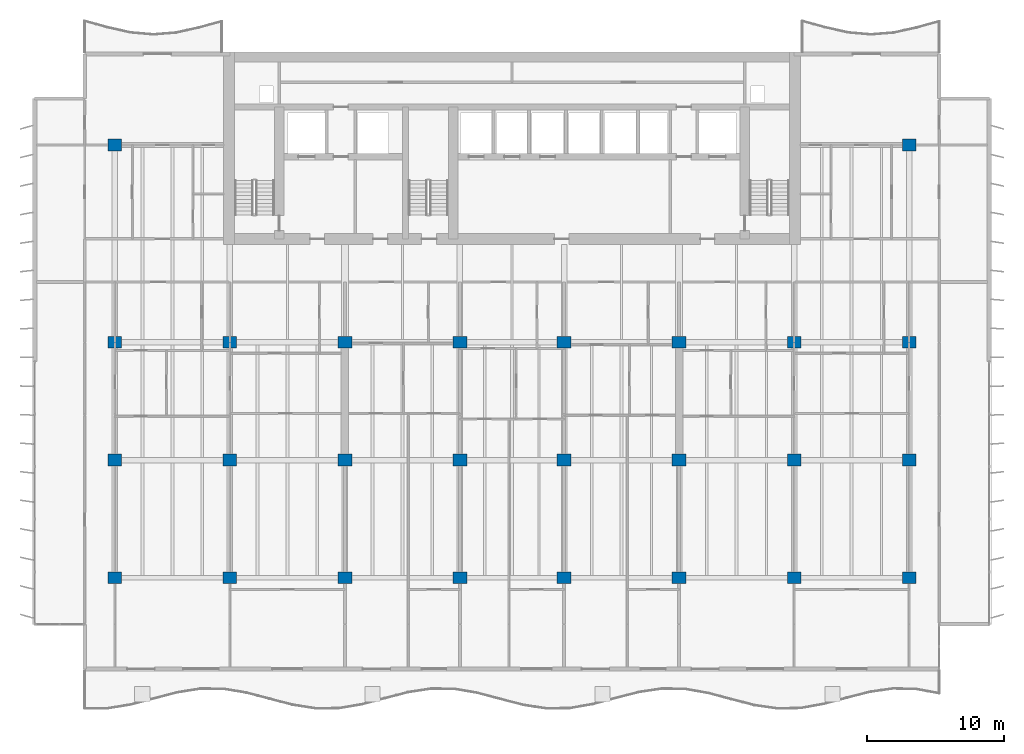
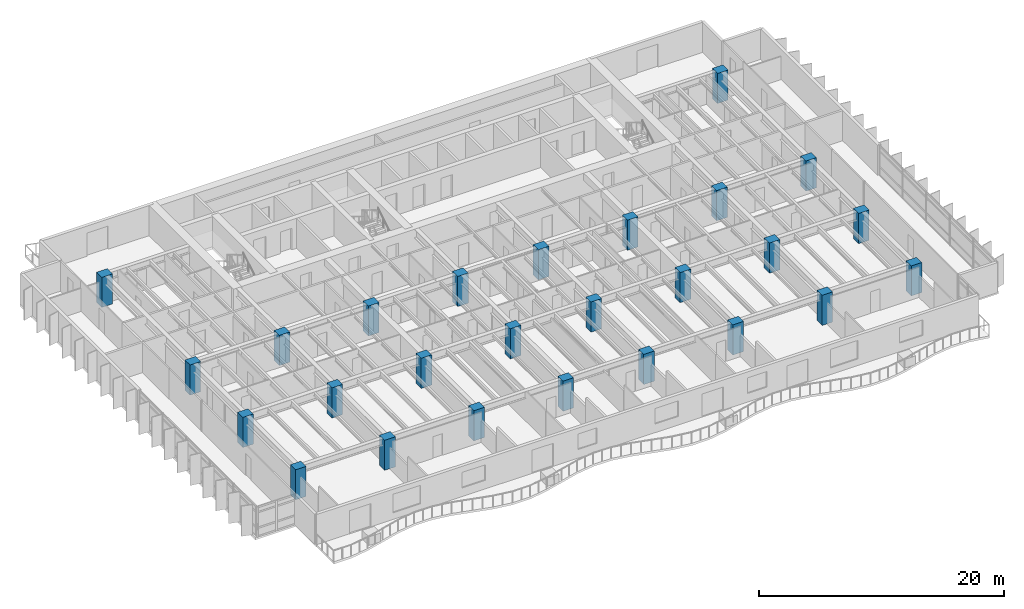
# One storey, part 1 of 19: 26 columns.
"""IFC4 building model written with IfcOpenShell, lengths in metres."""

from ifc_helpers import new_model, si_unit, direction, frame, origin, origin_2d, place, context, subcontext, project, spatial, rectangle, extrude, material, material_profile, profile_set, type_object, element, save


model = new_model("IFC4")

# Units and contexts
model_context = context("Model", 3, precision=1e-05, world=origin(), true_north=direction((0.0, 1.0)))
body_context = subcontext(model_context, "Body", "Model", "MODEL_VIEW")
ifc_project = project(units=[si_unit("LENGTHUNIT", "METRE"), si_unit("AREAUNIT", "SQUARE_METRE"), si_unit("VOLUMEUNIT", "CUBIC_METRE"), si_unit("PLANEANGLEUNIT", "RADIAN"), si_unit("MASSUNIT", "GRAM", prefix="KILO")], contexts=[model_context])

# Site, building, storey
site_placement = place(None, origin())
site = spatial("IfcSite", under=ifc_project, at=site_placement, CompositionType="ELEMENT")
building_placement = place(site_placement, origin())
building = spatial("IfcBuilding", under=site, at=building_placement, Name="Caelmar Bay Residences", CompositionType="ELEMENT")
storey_placement = place(building_placement, frame((0.0, 0.0, 94.5)))
storey = spatial("IfcBuildingStorey", under=building, at=storey_placement, Name="L25", CompositionType="ELEMENT", Elevation=94.5)

# Columns
ifc_material = material(Name="Concrete f'c 70 MPa (10,000 psi)", Category="concrete")
ifc_material_profile = material_profile(ifc_material, rectangle(XDim=1.0, YDim=0.85009765625, at=origin_2d()), Name="RC-COL-1000X850")
ifc_profile_set = profile_set([ifc_material_profile], Name="Concrete f'c 70 MPa (10,000 psi)")
column_type = type_object("IfcColumnType", Name="COL-RC-1000X850", PredefinedType="COLUMN", material=ifc_profile_set)
for number, where, z_axis, x_axis, name in (
    (1, (9.89990234375, 12.199951171875, 0.0), (0.0, 0.0, 1.0), (1.0, 0.0, 0.0), "L25 Column (9.90,12.20)"),
    (2, (18.300048828125, 12.199951171875, 0.0), (0.0, 0.0, 1.0), (1.0, 0.0, 0.0), "L25 Column (18.30,12.20)"),
    (3, (26.699951171875, 12.199951171875, 0.0), (0.0, 0.0, 1.0), (1.0, 0.0, 0.0), "L25 Column (26.70,12.20)"),
    (4, (35.10009765625, 12.199951171875, 0.0), (0.0, 0.0, 1.0), (1.0, 0.0, 0.0), "L25 Column (35.10,12.20)"),
    (5, (42.699951171875, 12.199951171875, 0.0), (0.0, 0.0, 1.0), (1.0, 0.0, 0.0), "L25 Column (42.70,12.20)"),
    (6, (51.10009765625, 12.199951171875, 0.0), (0.0, 0.0, 1.0), (1.0, 0.0, 0.0), "L25 Column (51.10,12.20)"),
    (7, (59.5, 12.199951171875, 0.0), (0.0, 0.0, 1.0), (1.0, 0.0, 0.0), "L25 Column (59.50,12.20)"),
    (8, (67.89990234375, 12.199951171875, 0.0), (0.0, 0.0, 1.0), (1.0, 0.0, 0.0), "L25 Column (67.90,12.20)"),
    (9, (9.89990234375, 20.800048828125, 0.0), (0.0, 0.0, 1.0), (1.0, 0.0, 0.0), "L25 Column (9.90,20.80)"),
    (10, (18.300048828125, 20.800048828125, 0.0), (0.0, 0.0, 1.0), (1.0, 0.0, 0.0), "L25 Column (18.30,20.80)"),
    (11, (26.699951171875, 20.800048828125, 0.0), (0.0, 0.0, 1.0), (1.0, 0.0, 0.0), "L25 Column (26.70,20.80)"),
    (12, (35.10009765625, 20.800048828125, 0.0), (0.0, 0.0, 1.0), (1.0, 0.0, 0.0), "L25 Column (35.10,20.80)"),
    (13, (42.699951171875, 20.800048828125, 0.0), (0.0, 0.0, 1.0), (1.0, 0.0, 0.0), "L25 Column (42.70,20.80)"),
    (14, (51.10009765625, 20.800048828125, 0.0), (0.0, 0.0, 1.0), (1.0, 0.0, 0.0), "L25 Column (51.10,20.80)"),
    (15, (59.5, 20.800048828125, 0.0), (0.0, 0.0, 1.0), (1.0, 0.0, 0.0), "L25 Column (59.50,20.80)"),
    (16, (67.89990234375, 20.800048828125, 0.0), (0.0, 0.0, 1.0), (1.0, 0.0, 0.0), "L25 Column (67.90,20.80)"),
    (17, (9.89990234375, 29.39990234375, 0.0), (0.0, 0.0, 1.0), (1.0, 0.0, 0.0), "L25 Column (9.90,29.40)"),
    (18, (18.300048828125, 29.39990234375, 0.0), (0.0, 0.0, 1.0), (1.0, 0.0, 0.0), "L25 Column (18.30,29.40)"),
    (19, (26.699951171875, 29.39990234375, 0.0), (0.0, 0.0, 1.0), (1.0, 0.0, 0.0), "L25 Column (26.70,29.40)"),
    (20, (35.10009765625, 29.39990234375, 0.0), (0.0, 0.0, 1.0), (1.0, 0.0, 0.0), "L25 Column (35.10,29.40)"),
    (21, (42.699951171875, 29.39990234375, 0.0), (0.0, 0.0, 1.0), (1.0, 0.0, 0.0), "L25 Column (42.70,29.40)"),
    (22, (51.10009765625, 29.39990234375, 0.0), (0.0, 0.0, 1.0), (1.0, 0.0, 0.0), "L25 Column (51.10,29.40)"),
    (23, (59.5, 29.39990234375, 0.0), (0.0, 0.0, 1.0), (1.0, 0.0, 0.0), "L25 Column (59.50,29.40)"),
    (24, (67.89990234375, 29.39990234375, 0.0), (0.0, 0.0, 1.0), (1.0, 0.0, 0.0), "L25 Column (67.90,29.40)"),
    (25, (9.89990234375, 43.800048828125, 0.0), (0.0, 0.0, 1.0), (1.0, 0.0, 0.0), "L25 Column (9.90,43.80)"),
    (26, (67.89990234375, 43.800048828125, 0.0), (0.0, 0.0, 1.0), (1.0, 0.0, 0.0), "L25 Column (67.90,43.80)"),
):
    element("IfcColumn", number, at=place(storey_placement, frame(where, z_axis=z_axis, x_axis=x_axis)), inside=storey, type_object=column_type, Name=name, PredefinedType="COLUMN", context=body_context, shape_type="SweptSolid", body=[
        extrude(rectangle(XDim=1.0, YDim=0.85009765625, at=origin_2d()), origin(), (0.0, 0.0, 1.0), 3.0),
    ])

save(model, "model.ifc")
